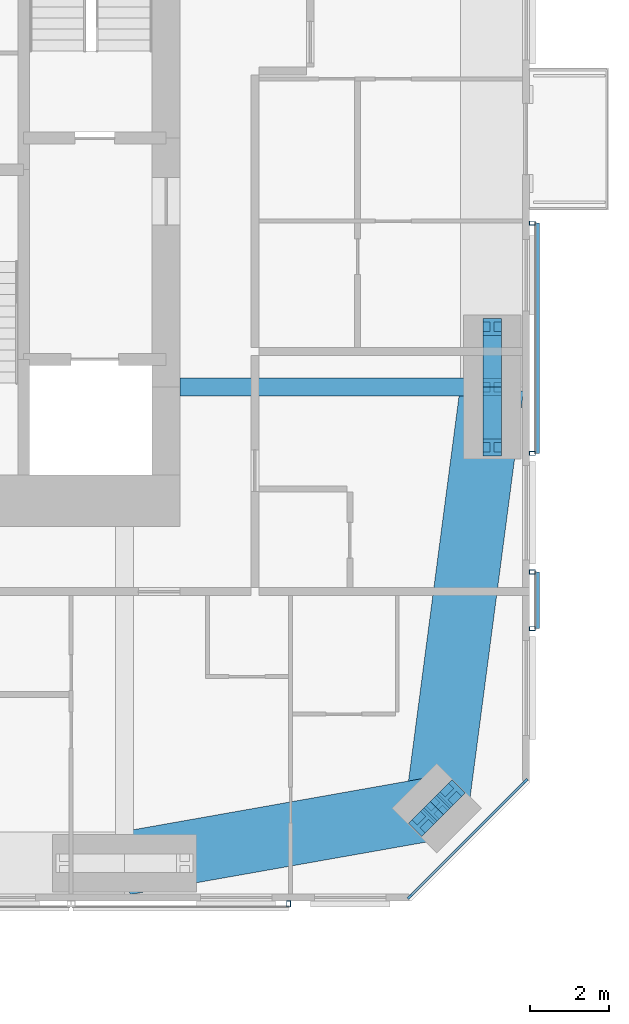
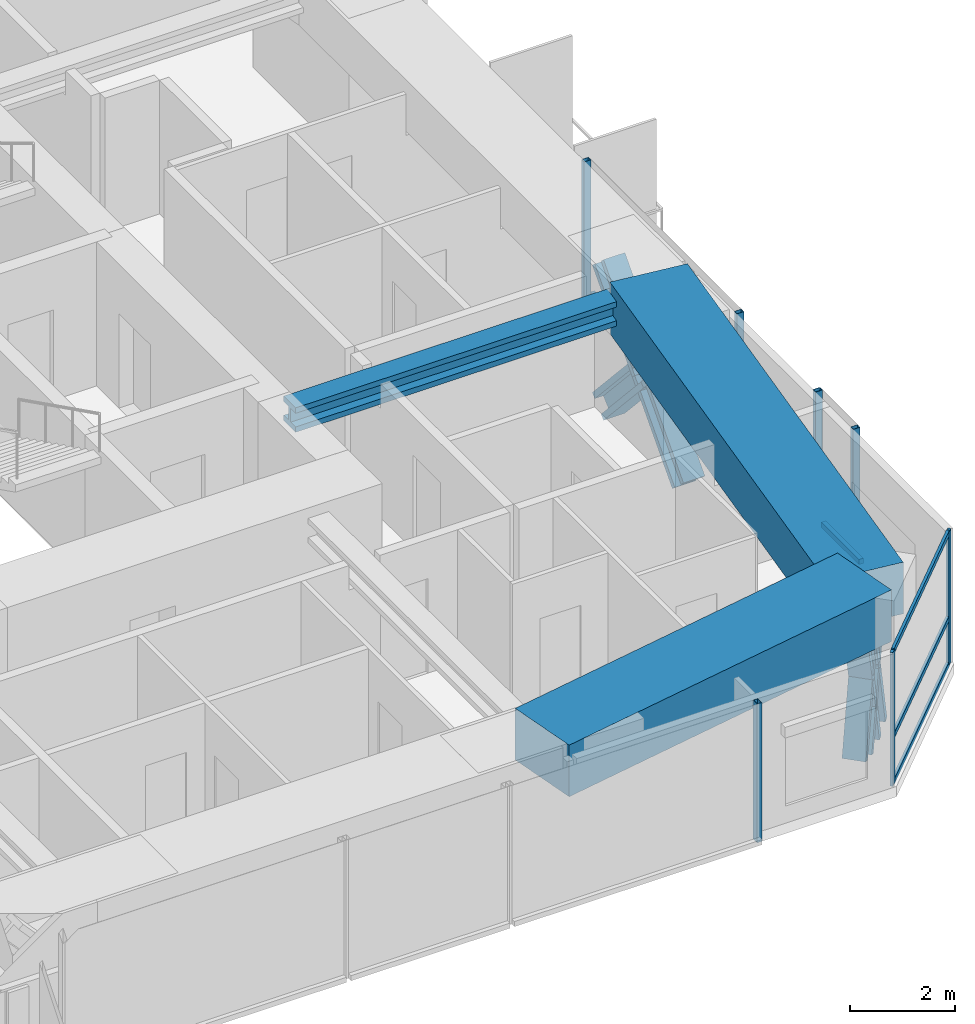
# One storey, part 7 of 22: 20 members, 3 beams, 4 elements without a shape of their own.
"""IFC4 building model written with IfcOpenShell, lengths in metres."""

from ifc_helpers import new_model, si_unit, direction, frame, origin, origin_2d, place, context, subcontext, project, spatial, rectangle, hollow_rectangle, i_section, extrude, material, material_profile, profile_set, type_object, element, aggregate, save


model = new_model("IFC4")

# Units and contexts
model_context = context("Model", 3, precision=1e-05, world=origin(), true_north=direction((0.0, 1.0)))
body_context = subcontext(model_context, "Body", "Model", "MODEL_VIEW")
ifc_project = project(units=[si_unit("LENGTHUNIT", "METRE"), si_unit("AREAUNIT", "SQUARE_METRE"), si_unit("VOLUMEUNIT", "CUBIC_METRE"), si_unit("PLANEANGLEUNIT", "RADIAN"), si_unit("MASSUNIT", "GRAM", prefix="KILO")], contexts=[model_context])

# Site, building, storey
site_placement = place(None, origin())
site = spatial("IfcSite", under=ifc_project, at=site_placement, CompositionType="ELEMENT")
building_placement = place(site_placement, origin())
building = spatial("IfcBuilding", under=site, at=building_placement, Name="Jalousie Tower", CompositionType="ELEMENT")
storey_placement = place(building_placement, frame((0.0, 0.0, 201.25)))
storey = spatial("IfcBuildingStorey", under=building, at=storey_placement, Name="L55", CompositionType="ELEMENT", Elevation=201.25)

# Curtain wall, members
ifc_material_1 = material(Name="Aluminium curtain wall", Category="aluminium")
curtain_wall_type_1 = type_object("IfcCurtainWallType", Name="CORNER WINDOW WALL", PredefinedType="USERDEFINED", material=ifc_material_1)
curtain_wall_1_placement = place(storey_placement, origin())
curtain_wall_1 = element("IfcCurtainWall", 1, at=curtain_wall_1_placement, inside=storey, type_object=curtain_wall_type_1, Name="Corner Window Wall L55 2", ObjectType="CORNER WINDOW WALL", PredefinedType="USERDEFINED")
ifc_material_2 = material(Name="Aluminium mullion", Category="aluminium")
ifc_material_profile_1 = material_profile(ifc_material_2, rectangle(XDim=0.06005859375, YDim=0.14990234375, at=origin_2d()), Name="MULLION 60x150")
ifc_profile_set_1 = profile_set([ifc_material_profile_1], Name="Aluminium mullion")
member_type_1 = type_object("IfcMemberType", Name="CORNER WINDOW WALL MULLION", PredefinedType="MULLION", material=ifc_profile_set_1)
member_1_placement = place(storey_placement, frame((49.969970703125, 0.108642578125, 0.0), z_axis=(0.0, 0.0, 1.0), x_axis=(-0.707106781187, 0.707106781187, 0.0)))
member_1 = element("IfcMember", 2, at=member_1_placement, type_object=member_type_1, Name="CW-C mullion 1", PredefinedType="MULLION", context=body_context, shape_type="SweptSolid", body=[
    extrude(rectangle(XDim=0.06005859375, YDim=0.14990234375, at=origin_2d()), origin(), (0.0, 0.0, 1.0), 3.110107421875),
])
member_2_placement = place(storey_placement, frame((52.891357421875, 3.030029296875, 0.0), z_axis=(0.0, 0.0, 1.0), x_axis=(-0.707106781187, 0.707106781187, 0.0)))
member_2 = element("IfcMember", 3, at=member_2_placement, type_object=member_type_1, Name="CW-C mullion 2", PredefinedType="MULLION", context=body_context, shape_type="SweptSolid", body=[
    extrude(rectangle(XDim=0.06005859375, YDim=0.14990234375, at=origin_2d()), origin(), (0.0, 0.0, 1.0), 3.110107421875),
])
ifc_material_3 = material(Name="Aluminium transom", Category="aluminium")
ifc_material_profile_2 = material_profile(ifc_material_3, rectangle(XDim=0.06005859375, YDim=0.1201171875, at=origin_2d()), Name="TRANSOM 60x120")
ifc_profile_set_2 = profile_set([ifc_material_profile_2], Name="Aluminium transom")
member_type_2 = type_object("IfcMemberType", Name="CORNER WINDOW WALL TRANSOM", PredefinedType="USERDEFINED", material=ifc_profile_set_2)
member_3_placement = place(storey_placement, frame((49.9912109375, 0.1298828125, 0.030029296875), z_axis=(0.707106781187, 0.707106781187, 0.0), x_axis=(-0.707106781187, 0.707106781187, 0.0)))
member_3 = element("IfcMember", 4, at=member_3_placement, type_object=member_type_2, Name="CW-C transom 1.1", ObjectType="TRANSOM", PredefinedType="USERDEFINED", context=body_context, shape_type="SweptSolid", body=[
    extrude(rectangle(XDim=0.06005859375, YDim=0.1201171875, at=origin_2d()), origin(), (0.0, 0.0, 1.0), 4.0712890625),
])
member_4_placement = place(storey_placement, frame((49.9912109375, 0.1298828125, 1.10009765625), z_axis=(0.707106781187, 0.707106781187, 0.0), x_axis=(-0.707106781187, 0.707106781187, 0.0)))
member_4 = element("IfcMember", 5, at=member_4_placement, type_object=member_type_2, Name="CW-C transom 1.2", ObjectType="TRANSOM", PredefinedType="USERDEFINED", context=body_context, shape_type="SweptSolid", body=[
    extrude(rectangle(XDim=0.06005859375, YDim=0.1201171875, at=origin_2d()), origin(), (0.0, 0.0, 1.0), 4.0712890625),
])
member_5_placement = place(storey_placement, frame((49.9912109375, 0.1298828125, 3.080078125), z_axis=(0.707106781187, 0.707106781187, 0.0), x_axis=(-0.707106781187, 0.707106781187, 0.0)))
member_5 = element("IfcMember", 6, at=member_5_placement, type_object=member_type_2, Name="CW-C transom 1.3", ObjectType="TRANSOM", PredefinedType="USERDEFINED", context=body_context, shape_type="SweptSolid", body=[
    extrude(rectangle(XDim=0.06005859375, YDim=0.1201171875, at=origin_2d()), origin(), (0.0, 0.0, 1.0), 4.0712890625),
])
aggregate(curtain_wall_1, [member_1, member_2, member_3, member_4, member_5])

# Beam
ifc_material_4 = material(Name="Steel ASTM A992 Grade 50", Category="steel")
ifc_material_profile_3 = material_profile(ifc_material_4, i_section(OverallWidth=0.45458984375, OverallDepth=0.569091796875, WebThickness=0.077880859375, FlangeThickness=0.124755859375, at=origin_2d()), Name="W14X730")
ifc_profile_set_3 = profile_set([ifc_material_profile_3], Name="Steel ASTM A992 Grade 50")
beam_type_1 = type_object("IfcBeamType", Name="LEAN COLLECTOR W14X730", PredefinedType="BEAM", material=ifc_profile_set_3)
beam_1_placement = place(storey_placement, frame((52.050048828125, 13.0, 2.825439453125), z_axis=(-1.0, 0.0, 0.0), x_axis=(0.0, -1.0, 0.0)))
element("IfcBeam", 7, at=beam_1_placement, inside=storey, type_object=beam_type_1, Name="Lean collector under L56", PredefinedType="BEAM", context=body_context, shape_type="SweptSolid", body=[
    extrude(i_section(OverallWidth=0.45458984375, OverallDepth=0.569091796875, WebThickness=0.077880859375, FlangeThickness=0.124755859375, at=origin_2d()), origin(), (0.0, 0.0, 1.0), 7.900146484375),
])

# Members
ifc_material_5 = material(Name="Steel ASTM A992 Grade 50", Category="steel")
ifc_material_profile_4 = material_profile(ifc_material_5, i_section(OverallWidth=0.472412109375, OverallDepth=0.5791015625, WebThickness=0.094970703125, FlangeThickness=0.1298828125, at=origin_2d()), Name="W14X808")
ifc_profile_set_4 = profile_set([ifc_material_profile_4], Name="Steel ASTM A992 Grade 50")
member_type_3 = type_object("IfcMemberType", Name="PERIMETER BRACE W14X808", PredefinedType="BRACE", material=ifc_profile_set_4)
for number, where, z_axis, x_axis, name in (
    (8, (50.2978515625, 1.9951171875, -0.60009765625), (0.202372069365, 0.202092742837, 0.958229653493), (-0.706618279267, 0.707594945859, 0.0), "Perimeter brace 05 L55 part 1"),
    (9, (50.651611328125, 2.348388671875, 1.074951171875), (0.202092742837, 0.202372069365, 0.958229653493), (-0.707594945859, 0.706618279267, 0.0), "Perimeter brace 05 L55 part 2"),
    (10, (51.0048828125, 2.7021484375, -0.60009765625), (-0.202092742837, -0.202372069365, 0.958229653493), (0.707594945859, -0.706618279267, 0.0), "Perimeter brace 05 L55 part 3"),
    (11, (50.651611328125, 2.348388671875, 1.074951171875), (-0.202372069365, -0.202092742837, 0.958229653493), (0.706618279267, -0.707594945859, 0.0), "Perimeter brace 05 L55 part 4"),
):
    element("IfcMember", number, at=place(storey_placement, frame(where, z_axis=z_axis, x_axis=x_axis)), inside=storey, type_object=member_type_3, Name=name, PredefinedType="BRACE", context=body_context, shape_type="SweptSolid", body=[
        extrude(i_section(OverallWidth=0.472412109375, OverallDepth=0.5791015625, WebThickness=0.094970703125, FlangeThickness=0.1298828125, at=origin_2d()), origin(), (0.0, 0.0, 1.0), 1.748046875),
    ])
for number, where, z_axis, x_axis, name in (
    (12, (52.050048828125, 11.47509765625, -0.60009765625), (0.0, 0.673187629365, 0.739471713908), (-1.0, 0.0, 0.0), "Perimeter brace 06 L55 part 1"),
    (13, (52.050048828125, 13.0, 1.074951171875), (0.0, 0.673187629365, 0.739471713908), (-1.0, 0.0, 0.0), "Perimeter brace 06 L55 part 2"),
    (14, (52.050048828125, 14.52490234375, -0.60009765625), (0.0, -0.673187629365, 0.739471713908), (1.0, 0.0, 0.0), "Perimeter brace 06 L55 part 3"),
    (15, (52.050048828125, 13.0, 1.074951171875), (0.0, -0.673187629365, 0.739471713908), (1.0, 0.0, 0.0), "Perimeter brace 06 L55 part 4"),
):
    element("IfcMember", number, at=place(storey_placement, frame(where, z_axis=z_axis, x_axis=x_axis)), inside=storey, type_object=member_type_3, Name=name, PredefinedType="BRACE", context=body_context, shape_type="SweptSolid", body=[
        extrude(i_section(OverallWidth=0.472412109375, OverallDepth=0.5791015625, WebThickness=0.094970703125, FlangeThickness=0.1298828125, at=origin_2d()), origin(), (0.0, 0.0, 1.0), 2.26513671875),
    ])

# Beams
ifc_material_6 = material(Name="Concrete f'c 40 MPa", Category="concrete")
ifc_material_profile_5 = material_profile(ifc_material_6, rectangle(XDim=1.60009765625, YDim=1.199951171875, at=origin_2d()), Name="RC 1600x1200")
ifc_profile_set_5 = profile_set([ifc_material_profile_5], Name="Concrete f'c 40 MPa")
beam_type_2 = type_object("IfcBeamType", Name="RC BEAM 1600x1200", PredefinedType="BEAM", material=ifc_profile_set_5)
beam_2_placement = place(storey_placement, frame((42.75, 0.949951171875, 2.75), z_axis=(0.984697370688, 0.174273027632, 0.0), x_axis=(-0.174273027632, 0.984697370688, 0.0)))
element("IfcBeam", 16, at=beam_2_placement, inside=storey, type_object=beam_type_2, Name="Edge band beam 04-05 under L56", PredefinedType="BEAM", context=body_context, shape_type="SweptSolid", body=[
    extrude(rectangle(XDim=1.60009765625, YDim=1.199951171875, at=origin_2d()), origin(), (0.0, 0.0, 1.0), 8.0244140625),
])
beam_3_placement = place(storey_placement, frame((50.651611328125, 2.348388671875, 2.75), z_axis=(0.130171745558, 0.991491460709, 0.0), x_axis=(-0.991491460709, 0.130171745558, 0.0)))
element("IfcBeam", 17, at=beam_3_placement, inside=storey, type_object=beam_type_2, Name="Edge band beam 05-06 under L56", PredefinedType="BEAM", context=body_context, shape_type="SweptSolid", body=[
    extrude(rectangle(XDim=1.60009765625, YDim=1.199951171875, at=origin_2d()), origin(), (0.0, 0.0, 1.0), 10.742919921875),
])

# Curtain wall, member
ifc_material_7 = material(Name="Perforated aluminium sheet", Category="aluminium")
curtain_wall_type_2 = type_object("IfcCurtainWallType", Name="SOLAR SCREEN SS-1", PredefinedType="USERDEFINED", material=ifc_material_7)
curtain_wall_2_placement = place(storey_placement, origin())
curtain_wall_2 = element("IfcCurtainWall", 18, at=curtain_wall_2_placement, inside=storey, type_object=curtain_wall_type_2, Name="Solar screen L55", ObjectType="SOLAR SCREEN SS-1", PredefinedType="USERDEFINED")
ifc_material_8 = material(Name="Steel ASTM A500 Grade C", Category="steel")
ifc_material_profile_6 = material_profile(ifc_material_8, hollow_rectangle(XDim=0.1015625, YDim=0.15234375, WallThickness=0.00634765625, at=origin_2d()), Name="HSS6X4X1/4")
ifc_profile_set_6 = profile_set([ifc_material_profile_6], Name="Steel ASTM A500 Grade C")
member_type_4 = type_object("IfcMemberType", Name="SOLAR SCREEN SS-1 MULLION", PredefinedType="MULLION", material=ifc_profile_set_6)
member_6_placement = place(storey_placement, frame((46.89990234375, -0.0712890625, -0.1201171875), z_axis=(0.0, 0.0, 1.0), x_axis=(1.0, 0.0, 0.0)))
member_6 = element("IfcMember", 19, at=member_6_placement, type_object=member_type_4, Name="SS1 post 2", PredefinedType="MULLION", context=body_context, shape_type="SweptSolid", body=[
    extrude(hollow_rectangle(XDim=0.1015625, YDim=0.15234375, WallThickness=0.00634765625, at=origin_2d()), origin(), (0.0, 0.0, 1.0), 3.230224609375),
])
aggregate(curtain_wall_2, [member_6])

# Curtain wall, members
curtain_wall_3_placement = place(storey_placement, origin())
curtain_wall_3 = element("IfcCurtainWall", 20, at=curtain_wall_3_placement, inside=storey, type_object=curtain_wall_type_2, Name="Solar screen L55", ObjectType="SOLAR SCREEN SS-1", PredefinedType="USERDEFINED")
member_7_placement = place(storey_placement, frame((53.0712890625, 6.88818359375, -0.1201171875), z_axis=(0.0, 0.0, 1.0), x_axis=(0.0, 1.0, 0.0)))
member_7 = element("IfcMember", 21, at=member_7_placement, type_object=member_type_4, Name="SS1 post 1", PredefinedType="MULLION", context=body_context, shape_type="SweptSolid", body=[
    extrude(hollow_rectangle(XDim=0.1015625, YDim=0.15234375, WallThickness=0.00634765625, at=origin_2d()), origin(), (0.0, 0.0, 1.0), 3.230224609375),
])
member_8_placement = place(storey_placement, frame((53.0712890625, 8.322021484375, -0.1201171875), z_axis=(0.0, 0.0, 1.0), x_axis=(0.0, 1.0, 0.0)))
member_8 = element("IfcMember", 22, at=member_8_placement, type_object=member_type_4, Name="SS1 post 2", PredefinedType="MULLION", context=body_context, shape_type="SweptSolid", body=[
    extrude(hollow_rectangle(XDim=0.1015625, YDim=0.15234375, WallThickness=0.00634765625, at=origin_2d()), origin(), (0.0, 0.0, 1.0), 3.230224609375),
])

curtain_wall_4_placement = place(storey_placement, origin())
curtain_wall_4 = element("IfcCurtainWall", 23, at=curtain_wall_4_placement, inside=storey, type_object=curtain_wall_type_2, Name="Solar screen L55", ObjectType="SOLAR SCREEN SS-1", PredefinedType="USERDEFINED")
member_9_placement = place(storey_placement, frame((53.0712890625, 11.322021484375, -0.1201171875), z_axis=(0.0, 0.0, 1.0), x_axis=(0.0, 1.0, 0.0)))
member_9 = element("IfcMember", 24, at=member_9_placement, type_object=member_type_4, Name="SS1 post 1", PredefinedType="MULLION", context=body_context, shape_type="SweptSolid", body=[
    extrude(hollow_rectangle(XDim=0.1015625, YDim=0.15234375, WallThickness=0.00634765625, at=origin_2d()), origin(), (0.0, 0.0, 1.0), 3.230224609375),
])
member_10_placement = place(storey_placement, frame((53.0712890625, 17.14990234375, -0.1201171875), z_axis=(0.0, 0.0, 1.0), x_axis=(0.0, 1.0, 0.0)))
member_10 = element("IfcMember", 25, at=member_10_placement, type_object=member_type_4, Name="SS1 post 2", PredefinedType="MULLION", context=body_context, shape_type="SweptSolid", body=[
    extrude(hollow_rectangle(XDim=0.1015625, YDim=0.15234375, WallThickness=0.00634765625, at=origin_2d()), origin(), (0.0, 0.0, 1.0), 3.230224609375),
])

# Member
ifc_material_9 = material(Name="Extruded aluminium screen rail", Category="aluminium")
ifc_material_profile_7 = material_profile(ifc_material_9, rectangle(XDim=0.1015625, YDim=0.1201171875, at=origin_2d()), Name="RAIL 102x120")
ifc_profile_set_7 = profile_set([ifc_material_profile_7], Name="Extruded aluminium screen rail")
member_type_5 = type_object("IfcMemberType", Name="SOLAR SCREEN SS-1 TRANSOM", PredefinedType="USERDEFINED", material=ifc_profile_set_7)
member_11_placement = place(storey_placement, frame((53.1982421875, 6.88818359375, -0.06005859375), z_axis=(0.0, 1.0, 0.0), x_axis=(-1.0, 0.0, 0.0)))
member_11 = element("IfcMember", 26, at=member_11_placement, type_object=member_type_5, Name="SS1 rail", ObjectType="TRANSOM", PredefinedType="USERDEFINED", context=body_context, shape_type="SweptSolid", body=[
    extrude(rectangle(XDim=0.1015625, YDim=0.1201171875, at=origin_2d()), origin(), (0.0, 0.0, 1.0), 1.433837890625),
])

aggregate(curtain_wall_3, [member_7, member_8, member_11])

member_12_placement = place(storey_placement, frame((53.1982421875, 11.322021484375, -0.06005859375), z_axis=(0.0, 1.0, 0.0), x_axis=(-1.0, 0.0, 0.0)))
member_12 = element("IfcMember", 27, at=member_12_placement, type_object=member_type_5, Name="SS1 rail", ObjectType="TRANSOM", PredefinedType="USERDEFINED", context=body_context, shape_type="SweptSolid", body=[
    extrude(rectangle(XDim=0.1015625, YDim=0.1201171875, at=origin_2d()), origin(), (0.0, 0.0, 1.0), 5.827880859375),
])

aggregate(curtain_wall_4, [member_9, member_10, member_12])

save(model, "model.ifc")
